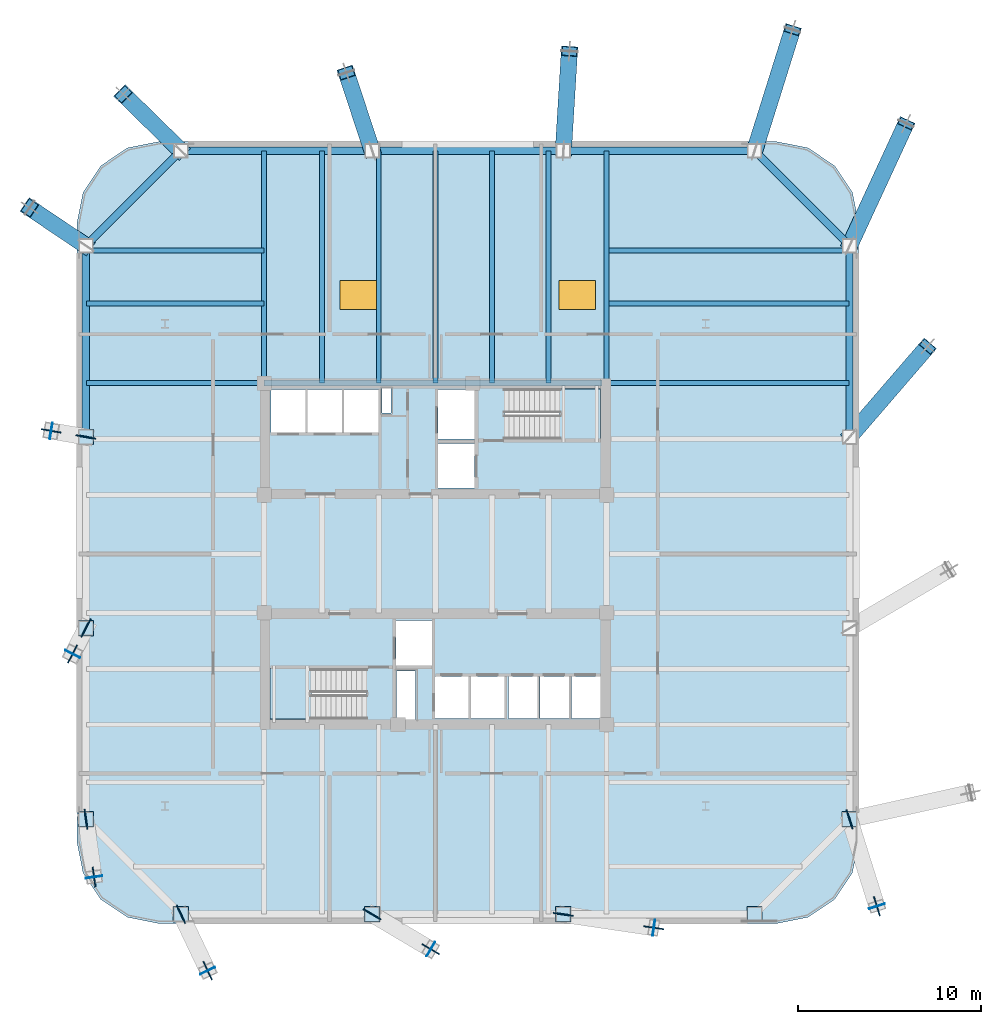
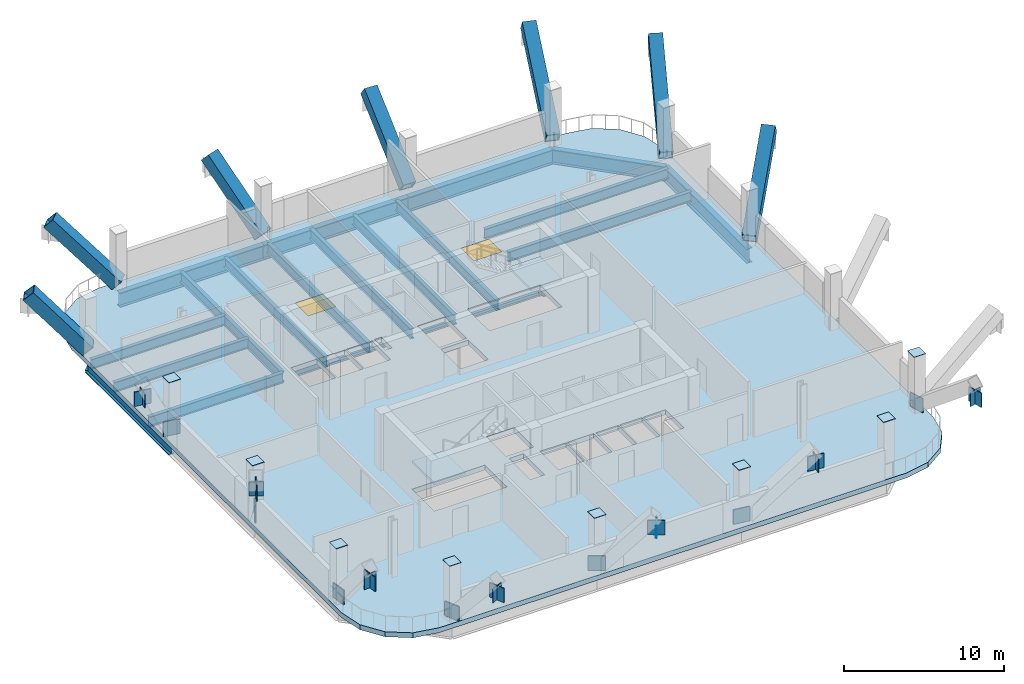
# One storey, part 2 of 8: 29 plates, 21 beams, 7 members, 3 slabs, 2 windows, 2 openings, 2 elements without a shape of their own.
"""IFC4 building model written with IfcOpenShell, lengths in metres."""

from ifc_helpers import new_model, si_unit, direction, frame, origin, origin_2d, place, context, subcontext, project, spatial, polyline, rectangle, hollow_rectangle, i_section, outline, extrude, material, layer, layer_set, material_profile, profile_set, type_object, element, fill, aggregate, save


model = new_model("IFC4")

# Units and contexts
model_context = context("Model", 3, precision=1e-05, world=origin(), true_north=direction((0.0, 1.0)))
body_context = subcontext(model_context, "Body", "Model", "MODEL_VIEW")
ifc_project = project(units=[si_unit("LENGTHUNIT", "METRE"), si_unit("AREAUNIT", "SQUARE_METRE"), si_unit("VOLUMEUNIT", "CUBIC_METRE"), si_unit("PLANEANGLEUNIT", "RADIAN"), si_unit("MASSUNIT", "GRAM", prefix="KILO")], contexts=[model_context])

# Site, building, storey
site_placement = place(None, origin())
site = spatial("IfcSite", under=ifc_project, at=site_placement, CompositionType="ELEMENT")
building_placement = place(site_placement, origin())
building = spatial("IfcBuilding", under=site, at=building_placement, Name="Qhalaya Broadcast Tower", CompositionType="ELEMENT")
storey_placement = place(building_placement, frame((0.0, 0.0, 65.10009765625)))
storey = spatial("IfcBuildingStorey", under=building, at=storey_placement, Name="L18", CompositionType="ELEMENT", Elevation=65.10009765625)

# Beam
ifc_material_1 = material(Name="Structural Steel ASTM A992 Grade 50", Category="steel")
ifc_material_profile_1 = material_profile(ifc_material_1, i_section(OverallWidth=0.323974609375, OverallDepth=0.612060546875, WebThickness=0.0126953125, FlangeThickness=0.01904296875, at=origin_2d()), Name="W24X104")
ifc_profile_set_1 = profile_set([ifc_material_profile_1], Name="Structural Steel ASTM A992 Grade 50")
beam_type_1 = type_object("IfcBeamType", Name="Core Frame Tie Beam B04", PredefinedType="BEAM", material=ifc_profile_set_1)
beam_1_placement = place(storey_placement, frame((-9.375, 9.949951171875, -0.68603515625), z_axis=(1.0, 0.0, 0.0), x_axis=(0.0, 1.0, 0.0)))
element("IfcBeam", 1, at=beam_1_placement, inside=storey, type_object=beam_type_1, Name="L18 B04 L18-CCN3", PredefinedType="BEAM", context=body_context, shape_type="SweptSolid", body=[
    extrude(i_section(OverallWidth=0.323974609375, OverallDepth=0.612060546875, WebThickness=0.0126953125, FlangeThickness=0.01904296875, at=origin_2d()), origin(), (0.0, 0.0, 1.0), 18.4951171875),
])

# Members
ifc_material_2 = material(Name="Structural Steel ASTM A572 Grade 50", Category="steel")
ifc_material_profile_2 = material_profile(ifc_material_2, hollow_rectangle(XDim=0.89990234375, YDim=0.89990234375, WallThickness=0.054931640625, at=origin_2d()), Name="BOX 900x900x55")
ifc_profile_set_2 = profile_set([ifc_material_profile_2], Name="Structural Steel ASTM A572 Grade 50")
member_type = type_object("IfcMemberType", Name="Heavy Exoskeleton Transfer Strut RK1", PredefinedType="BRACE", material=ifc_profile_set_2)
member_1_placement = place(storey_placement, frame((22.669921875, 7.00341796875, 0.39501953125), z_axis=(0.558902288641, 0.64793690873, 0.517499752712), x_axis=(-0.757215743528, 0.653164847304, 0.0)))
element("IfcMember", 2, at=member_1_placement, inside=storey, type_object=member_type, Name="L18 Inclined Exoskeleton Transfer Strut 07", PredefinedType="BRACE", context=body_context, shape_type="SweptSolid", body=[
    extrude(hollow_rectangle(XDim=0.89990234375, YDim=0.89990234375, WallThickness=0.054931640625, at=origin_2d()), origin(), (0.0, 0.0, 1.0), 7.64208984375),
])
member_2_placement = place(storey_placement, frame((22.669921875, 17.469970703125, 0.40673828125), z_axis=(0.370091184465, 0.800487470838, 0.471436447692), x_axis=(-0.907685040234, 0.419652079388, 0.0)))
element("IfcMember", 3, at=member_2_placement, inside=storey, type_object=member_type, Name="L18 Inclined Exoskeleton Transfer Strut 08", PredefinedType="BRACE", context=body_context, shape_type="SweptSolid", body=[
    extrude(hollow_rectangle(XDim=0.89990234375, YDim=0.89990234375, WallThickness=0.054931640625, at=origin_2d()), origin(), (0.0, 0.0, 1.0), 8.364013671875),
])
member_3_placement = place(storey_placement, frame((17.469970703125, 22.669921875, 0.401123046875), z_axis=(0.259921396799, 0.829388049592, 0.494526370055), x_axis=(-0.954238050963, 0.299048059841, 0.0)))
element("IfcMember", 4, at=member_3_placement, inside=storey, type_object=member_type, Name="L18 Inclined Exoskeleton Transfer Strut 09", PredefinedType="BRACE", context=body_context, shape_type="SweptSolid", body=[
    extrude(hollow_rectangle(XDim=0.89990234375, YDim=0.89990234375, WallThickness=0.054931640625, at=origin_2d()), origin(), (0.0, 0.0, 1.0), 7.98486328125),
])
member_4_placement = place(storey_placement, frame((7.00341796875, 22.669921875, 0.37353515625), z_axis=(0.049138154088, 0.806711814465, 0.588898539832), x_axis=(-0.998150031233, 0.060798973262, 0.0)))
element("IfcMember", 5, at=member_4_placement, inside=storey, type_object=member_type, Name="L18 Inclined Exoskeleton Transfer Strut 10", PredefinedType="BRACE", context=body_context, shape_type="SweptSolid", body=[
    extrude(hollow_rectangle(XDim=0.89990234375, YDim=0.89990234375, WallThickness=0.054931640625, at=origin_2d()), origin(), (0.0, 0.0, 1.0), 6.752197265625),
])
member_5_placement = place(storey_placement, frame((-3.46337890625, 22.669921875, 0.345947265625), z_axis=(-0.234401147592, 0.709243873594, 0.66485278805), x_axis=(-0.94948884921, -0.313800773143, 0.0)))
element("IfcMember", 6, at=member_5_placement, inside=storey, type_object=member_type, Name="L18 Inclined Exoskeleton Transfer Strut 11", PredefinedType="BRACE", context=body_context, shape_type="SweptSolid", body=[
    extrude(hollow_rectangle(XDim=0.89990234375, YDim=0.89990234375, WallThickness=0.054931640625, at=origin_2d()), origin(), (0.0, 0.0, 1.0), 6.022216796875),
])
member_6_placement = place(storey_placement, frame((-13.929931640625, 22.669921875, 0.34326171875), z_axis=(-0.528896386296, 0.518870108468, 0.67159692011), x_axis=(-0.700308278585, -0.713840538878, 0.0)))
element("IfcMember", 7, at=member_6_placement, inside=storey, type_object=member_type, Name="L18 Inclined Exoskeleton Transfer Strut 12", PredefinedType="BRACE", context=body_context, shape_type="SweptSolid", body=[
    extrude(hollow_rectangle(XDim=0.89990234375, YDim=0.89990234375, WallThickness=0.054931640625, at=origin_2d()), origin(), (0.0, 0.0, 1.0), 5.9658203125),
])
member_7_placement = place(storey_placement, frame((-19.1298828125, 17.469970703125, 0.314697265625), z_axis=(-0.561959275067, 0.378333396479, 0.735571624163), x_axis=(-0.558469397529, -0.829525124408, 0.0)))
element("IfcMember", 8, at=member_7_placement, inside=storey, type_object=member_type, Name="L18 Inclined Exoskeleton Transfer Strut 13", PredefinedType="BRACE", context=body_context, shape_type="SweptSolid", body=[
    extrude(hollow_rectangle(XDim=0.89990234375, YDim=0.89990234375, WallThickness=0.054931640625, at=origin_2d()), origin(), (0.0, 0.0, 1.0), 5.48583984375),
])

# Beams
ifc_material_profile_3 = material_profile(ifc_material_1, i_section(OverallWidth=0.26708984375, OverallDepth=0.780029296875, WebThickness=0.0166015625, FlangeThickness=0.030029296875, at=origin_2d()), Name="W30X148")
ifc_profile_set_3 = profile_set([ifc_material_profile_3], Name="Structural Steel ASTM A992 Grade 50")
beam_type_2 = type_object("IfcBeamType", Name="Neck & Crown Primary Girder PG5", PredefinedType="USERDEFINED", material=ifc_profile_set_3)
for number, where, z_axis, x_axis, name in (
    (9, (-9.375, 9.949951171875, -0.77001953125), (0.0, 1.0, 0.0), (-1.0, 0.0, 0.0), "L18 PG5 L18-PGXN1-1"),
    (10, (9.375, 9.949951171875, -0.77001953125), (0.0, 1.0, 0.0), (-1.0, 0.0, 0.0), "L18 PG5 L18-PGXN2-1"),
):
    element("IfcBeam", number, at=place(storey_placement, frame(where, z_axis=z_axis, x_axis=x_axis)), inside=storey, type_object=beam_type_2, Name=name, ObjectType="GIRDER", PredefinedType="USERDEFINED", context=body_context, shape_type="SweptSolid", body=[
        extrude(i_section(OverallWidth=0.26708984375, OverallDepth=0.780029296875, WebThickness=0.0166015625, FlangeThickness=0.030029296875, at=origin_2d()), origin(), (0.0, 0.0, 1.0), 12.699951171875),
    ])
beam_2_placement = place(storey_placement, frame((-19.110107421875, 9.949951171875, -0.77001953125), z_axis=(1.0, 0.0, 0.0), x_axis=(0.0, 1.0, 0.0)))
element("IfcBeam", 11, at=beam_2_placement, inside=storey, type_object=beam_type_2, Name="L18 PG5 L18-PGYW4-1", ObjectType="GIRDER", PredefinedType="USERDEFINED", context=body_context, shape_type="SweptSolid", body=[
    extrude(i_section(OverallWidth=0.26708984375, OverallDepth=0.780029296875, WebThickness=0.0166015625, FlangeThickness=0.030029296875, at=origin_2d()), origin(), (0.0, 0.0, 1.0), 9.735107421875),
])
beam_3_placement = place(storey_placement, frame((9.375, 9.949951171875, -0.77001953125), z_axis=(1.0, 0.0, 0.0), x_axis=(0.0, 1.0, 0.0)))
element("IfcBeam", 12, at=beam_3_placement, inside=storey, type_object=beam_type_2, Name="L18 PG5 L18-PGYE4-1", ObjectType="GIRDER", PredefinedType="USERDEFINED", context=body_context, shape_type="SweptSolid", body=[
    extrude(i_section(OverallWidth=0.26708984375, OverallDepth=0.780029296875, WebThickness=0.0166015625, FlangeThickness=0.030029296875, at=origin_2d()), origin(), (0.0, 0.0, 1.0), 13.27490234375),
])
ifc_material_profile_4 = material_profile(ifc_material_1, i_section(OverallWidth=0.26708984375, OverallDepth=0.761962890625, WebThickness=0.014404296875, FlangeThickness=0.021484375, at=origin_2d()), Name="W30X116")
ifc_profile_set_4 = profile_set([ifc_material_profile_4], Name="Structural Steel ASTM A992 Grade 50")
beam_type_3 = type_object("IfcBeamType", Name="Plant & Server Floor Beam B02", PredefinedType="BEAM", material=ifc_profile_set_4)
for number, where, z_axis, x_axis, name in (
    (13, (-6.199951171875, 9.949951171875, -0.760986328125), (0.0, 1.0, 0.0), (-1.0, 0.0, 0.0), "L18 B02 L18-JNN1-1"),
    (14, (-3.10009765625, 9.949951171875, -0.760986328125), (0.0, 1.0, 0.0), (-1.0, 0.0, 0.0), "L18 B02 L18-JNN2-1"),
    (15, (0.0, 9.949951171875, -0.760986328125), (0.0, 1.0, 0.0), (-1.0, 0.0, 0.0), "L18 B02 L18-JNN3-1"),
    (16, (3.10009765625, 9.949951171875, -0.760986328125), (0.0, 1.0, 0.0), (-1.0, 0.0, 0.0), "L18 B02 L18-JNN4-1"),
    (17, (6.199951171875, 9.949951171875, -0.760986328125), (0.0, 1.0, 0.0), (-1.0, 0.0, 0.0), "L18 B02 L18-JNN5-1"),
):
    element("IfcBeam", number, at=place(storey_placement, frame(where, z_axis=z_axis, x_axis=x_axis)), inside=storey, type_object=beam_type_3, Name=name, PredefinedType="BEAM", context=body_context, shape_type="SweptSolid", body=[
        extrude(i_section(OverallWidth=0.26708984375, OverallDepth=0.761962890625, WebThickness=0.014404296875, FlangeThickness=0.021484375, at=origin_2d()), origin(), (0.0, 0.0, 1.0), 12.699951171875),
    ])
beam_4_placement = place(storey_placement, frame((-19.110107421875, 14.300048828125, -0.760986328125), z_axis=(1.0, 0.0, 0.0), x_axis=(0.0, 1.0, 0.0)))
element("IfcBeam", 18, at=beam_4_placement, inside=storey, type_object=beam_type_3, Name="L18 B02 L18-JWE6W-1", PredefinedType="BEAM", context=body_context, shape_type="SweptSolid", body=[
    extrude(i_section(OverallWidth=0.26708984375, OverallDepth=0.761962890625, WebThickness=0.014404296875, FlangeThickness=0.021484375, at=origin_2d()), origin(), (0.0, 0.0, 1.0), 9.735107421875),
])
beam_5_placement = place(storey_placement, frame((9.375, 14.300048828125, -0.760986328125), z_axis=(1.0, 0.0, 0.0), x_axis=(0.0, 1.0, 0.0)))
element("IfcBeam", 19, at=beam_5_placement, inside=storey, type_object=beam_type_3, Name="L18 B02 L18-JWE6E-1", PredefinedType="BEAM", context=body_context, shape_type="SweptSolid", body=[
    extrude(i_section(OverallWidth=0.26708984375, OverallDepth=0.761962890625, WebThickness=0.014404296875, FlangeThickness=0.021484375, at=origin_2d()), origin(), (0.0, 0.0, 1.0), 13.27490234375),
])
beam_6_placement = place(storey_placement, frame((-19.110107421875, 17.199951171875, -0.760986328125), z_axis=(1.0, 0.0, 0.0), x_axis=(0.0, 1.0, 0.0)))
element("IfcBeam", 20, at=beam_6_placement, inside=storey, type_object=beam_type_3, Name="L18 B02 L18-JWE7W-1", PredefinedType="BEAM", context=body_context, shape_type="SweptSolid", body=[
    extrude(i_section(OverallWidth=0.26708984375, OverallDepth=0.761962890625, WebThickness=0.014404296875, FlangeThickness=0.021484375, at=origin_2d()), origin(), (0.0, 0.0, 1.0), 9.735107421875),
])
beam_7_placement = place(storey_placement, frame((9.375, 17.199951171875, -0.760986328125), z_axis=(1.0, 0.0, 0.0), x_axis=(0.0, 1.0, 0.0)))
element("IfcBeam", 21, at=beam_7_placement, inside=storey, type_object=beam_type_3, Name="L18 B02 L18-JWE7E-1", PredefinedType="BEAM", context=body_context, shape_type="SweptSolid", body=[
    extrude(i_section(OverallWidth=0.26708984375, OverallDepth=0.761962890625, WebThickness=0.014404296875, FlangeThickness=0.021484375, at=origin_2d()), origin(), (0.0, 0.0, 1.0), 13.27490234375),
])
ifc_material_profile_5 = material_profile(ifc_material_1, i_section(OverallWidth=0.404052734375, OverallDepth=1.117919921875, WebThickness=0.026123046875, FlangeThickness=0.044921875, at=origin_2d()), Name="W44X335")
ifc_profile_set_5 = profile_set([ifc_material_profile_5], Name="Structural Steel ASTM A992 Grade 50")
beam_type_4 = type_object("IfcBeamType", Name="Podium Long-Span Primary Girder PG1", PredefinedType="USERDEFINED", material=ifc_profile_set_5)
beam_8_placement = place(storey_placement, frame((22.669921875, 7.00341796875, -0.939208984375), z_axis=(0.0, 1.0, 0.0), x_axis=(-1.0, 0.0, 0.0)))
element("IfcBeam", 22, at=beam_8_placement, inside=storey, type_object=beam_type_4, Name="L18 PG1 L18-SPR-07", ObjectType="GIRDER", PredefinedType="USERDEFINED", context=body_context, shape_type="SweptSolid", body=[
    extrude(i_section(OverallWidth=0.404052734375, OverallDepth=1.117919921875, WebThickness=0.026123046875, FlangeThickness=0.044921875, at=origin_2d()), origin(), (0.0, 0.0, 1.0), 10.466552734375),
])
beam_9_placement = place(storey_placement, frame((22.669921875, 17.469970703125, -0.939208984375), z_axis=(-0.707106781187, 0.707106781187, 0.0), x_axis=(-0.707106781187, -0.707106781187, 0.0)))
element("IfcBeam", 23, at=beam_9_placement, inside=storey, type_object=beam_type_4, Name="L18 PG1 L18-SPR-08", ObjectType="GIRDER", PredefinedType="USERDEFINED", context=body_context, shape_type="SweptSolid", body=[
    extrude(i_section(OverallWidth=0.404052734375, OverallDepth=1.117919921875, WebThickness=0.026123046875, FlangeThickness=0.044921875, at=origin_2d()), origin(), (0.0, 0.0, 1.0), 7.353759765625),
])
beam_10_placement = place(storey_placement, frame((17.469970703125, 22.669921875, -0.939208984375), z_axis=(-1.0, 0.0, 0.0), x_axis=(0.0, -1.0, 0.0)))
element("IfcBeam", 24, at=beam_10_placement, inside=storey, type_object=beam_type_4, Name="L18 PG1 L18-SPR-09", ObjectType="GIRDER", PredefinedType="USERDEFINED", context=body_context, shape_type="SweptSolid", body=[
    extrude(i_section(OverallWidth=0.404052734375, OverallDepth=1.117919921875, WebThickness=0.026123046875, FlangeThickness=0.044921875, at=origin_2d()), origin(), (0.0, 0.0, 1.0), 10.466552734375),
])
beam_11_placement = place(storey_placement, frame((7.00341796875, 22.669921875, -0.939208984375), z_axis=(-1.0, 0.0, 0.0), x_axis=(0.0, -1.0, 0.0)))
element("IfcBeam", 25, at=beam_11_placement, inside=storey, type_object=beam_type_4, Name="L18 PG1 L18-SPR-10", ObjectType="GIRDER", PredefinedType="USERDEFINED", context=body_context, shape_type="SweptSolid", body=[
    extrude(i_section(OverallWidth=0.404052734375, OverallDepth=1.117919921875, WebThickness=0.026123046875, FlangeThickness=0.044921875, at=origin_2d()), origin(), (0.0, 0.0, 1.0), 10.466796875),
])
beam_12_placement = place(storey_placement, frame((-3.46337890625, 22.669921875, -0.939208984375), z_axis=(-1.0, 0.0, 0.0), x_axis=(0.0, -1.0, 0.0)))
element("IfcBeam", 26, at=beam_12_placement, inside=storey, type_object=beam_type_4, Name="L18 PG1 L18-SPR-11", ObjectType="GIRDER", PredefinedType="USERDEFINED", context=body_context, shape_type="SweptSolid", body=[
    extrude(i_section(OverallWidth=0.404052734375, OverallDepth=1.117919921875, WebThickness=0.026123046875, FlangeThickness=0.044921875, at=origin_2d()), origin(), (0.0, 0.0, 1.0), 10.466552734375),
])
beam_13_placement = place(storey_placement, frame((-13.929931640625, 22.669921875, -0.939208984375), z_axis=(-0.707106781187, -0.707106781187, 0.0), x_axis=(0.707106781187, -0.707106781187, 0.0)))
element("IfcBeam", 27, at=beam_13_placement, inside=storey, type_object=beam_type_4, Name="L18 PG1 L18-SPR-12", ObjectType="GIRDER", PredefinedType="USERDEFINED", context=body_context, shape_type="SweptSolid", body=[
    extrude(i_section(OverallWidth=0.404052734375, OverallDepth=1.117919921875, WebThickness=0.026123046875, FlangeThickness=0.044921875, at=origin_2d()), origin(), (0.0, 0.0, 1.0), 7.353759765625),
])
beam_14_placement = place(storey_placement, frame((-19.1298828125, 17.469970703125, -0.939208984375), z_axis=(0.0, -1.0, 0.0), x_axis=(1.0, 0.0, 0.0)))
element("IfcBeam", 28, at=beam_14_placement, inside=storey, type_object=beam_type_4, Name="L18 PG1 L18-SPR-13", ObjectType="GIRDER", PredefinedType="USERDEFINED", context=body_context, shape_type="SweptSolid", body=[
    extrude(i_section(OverallWidth=0.404052734375, OverallDepth=1.117919921875, WebThickness=0.026123046875, FlangeThickness=0.044921875, at=origin_2d()), origin(), (0.0, 0.0, 1.0), 10.466552734375),
])

# Plates
ifc_layer_1 = layer(ifc_material_2, 0.054931640625, Name="Structural Steel ASTM A572 Grade 50")
ifc_layer_set_1 = layer_set([ifc_layer_1], Name="Structural Steel ASTM A572 Grade 50")
plate_type_1 = type_object("IfcPlateType", Name="Exoskeleton Diamond Node Gusset Plate NP-01", PredefinedType="USERDEFINED", material=ifc_layer_set_1)
for number, where, z_axis, x_axis, name in (
    (29, (-13.929931640625, -19.1298828125, -0.000244140625), (0.0, 0.0, 1.0), (0.429140082637, -0.903237947318, 0.0), "L18 Strut Foot Gusset Plate 01"),
    (30, (-12.46533203125, -22.212646484375, 2.769775390625), (0.0, 0.0, 1.0), (0.429140082637, -0.903237947318, 0.0), "L18 Strut Head Gusset Plate 01"),
    (31, (-3.46337890625, -19.1298828125, -0.000244140625), (0.0, 0.0, 1.0), (0.859611588452, -0.510948057046, 0.0), "L18 Strut Foot Gusset Plate 02"),
    (32, (-0.255126953125, -21.036865234375, 2.769775390625), (0.0, 0.0, 1.0), (0.859611588452, -0.510948057046, 0.0), "L18 Strut Head Gusset Plate 02"),
    (33, (7.00341796875, -19.1298828125, -0.000244140625), (0.0, 0.0, 1.0), (0.989272332963, -0.146083028562, 0.0), "L18 Strut Foot Gusset Plate 03"),
    (34, (11.955078125, -19.861083984375, 2.769775390625), (0.0, 0.0, 1.0), (0.989272332963, -0.146083028562, 0.0), "L18 Strut Head Gusset Plate 03"),
    (35, (22.669921875, -13.929931640625, -0.000244140625), (0.0, 0.0, 1.0), (0.299940009631, -0.953958065442, 0.0), "L18 Strut Foot Gusset Plate 04"),
    (36, (24.165283203125, -18.685546875, 2.769775390625), (0.0, 0.0, 1.0), (0.299940009631, -0.953958065442, 0.0), "L18 Strut Head Gusset Plate 04"),
    (37, (-19.1298828125, 7.00341796875, -0.000244140625), (0.0, 0.0, 1.0), (-0.985187243675, 0.171482054161, 0.0), "L18 Strut Foot Gusset Plate 14"),
    (38, (-21.036865234375, 7.335205078125, 2.769775390625), (0.0, 0.0, 1.0), (-0.985187243675, 0.171482054161, 0.0), "L18 Strut Head Gusset Plate 14"),
    (39, (-19.1298828125, -3.46337890625, -0.000244140625), (0.0, 0.0, 1.0), (-0.459920846649, -0.887959917348, 0.0), "L18 Strut Foot Gusset Plate 15"),
    (40, (-19.861083984375, -4.875, 2.769775390625), (0.0, 0.0, 1.0), (-0.459920846649, -0.887959917348, 0.0), "L18 Strut Head Gusset Plate 15"),
    (41, (-19.1298828125, -13.929931640625, -0.000244140625), (0.0, 0.0, 1.0), (0.139501478629, -0.990221862746, 0.0), "L18 Strut Foot Gusset Plate 16"),
    (42, (-18.685546875, -17.085205078125, 2.769775390625), (0.0, 0.0, 1.0), (0.139501478629, -0.990221862746, 0.0), "L18 Strut Head Gusset Plate 16"),
):
    element("IfcPlate", number, at=place(storey_placement, frame(where, z_axis=z_axis, x_axis=x_axis)), inside=storey, type_object=plate_type_1, Name=name, ObjectType="GUSSET_PLATE", PredefinedType="USERDEFINED", context=body_context, shape_type="SweptSolid", body=[
        extrude(rectangle(XDim=1.10009765625, YDim=0.06005859375, at=origin_2d()), origin(), (0.0, 0.0, 1.0), 1.10009765625),
    ])
ifc_layer_2 = layer(ifc_material_2, 0.4599609375, Name="Structural Steel ASTM A572 Grade 50")
ifc_layer_set_2 = layer_set([ifc_layer_2], Name="Structural Steel ASTM A572 Grade 50")
plate_type_2 = type_object("IfcPlateType", Name="Hollow Box Member End Cap Plate CP-01", PredefinedType="USERDEFINED", material=ifc_layer_set_2)
for number, where, z_axis, x_axis, name in (
    (43, (-13.929931640625, -19.1298828125, 4.35009765625), (0.0, 0.0, 1.0), (1.0, 0.0, 0.0), "L18 Hollow Box Column Top Cap Plate COL-NK01"),
    (44, (-3.46337890625, -19.1298828125, 4.35009765625), (0.0, 0.0, 1.0), (1.0, 0.0, 0.0), "L18 Hollow Box Column Top Cap Plate COL-NK02"),
    (45, (7.00341796875, -19.1298828125, 4.35009765625), (0.0, 0.0, 1.0), (1.0, 0.0, 0.0), "L18 Hollow Box Column Top Cap Plate COL-NK03"),
    (46, (17.469970703125, -19.1298828125, 4.35009765625), (0.0, 0.0, 1.0), (1.0, 0.0, 0.0), "L18 Hollow Box Column Top Cap Plate COL-NK04"),
    (47, (22.669921875, -13.929931640625, 4.35009765625), (0.0, 0.0, 1.0), (0.0, 1.0, 0.0), "L18 Hollow Box Column Top Cap Plate COL-NK05"),
    (48, (-19.1298828125, 7.00341796875, 4.35009765625), (0.0, 0.0, 1.0), (0.0, 1.0, 0.0), "L18 Hollow Box Column Top Cap Plate COL-NK14"),
    (49, (-19.1298828125, -3.46337890625, 4.35009765625), (0.0, 0.0, 1.0), (0.0, 1.0, 0.0), "L18 Hollow Box Column Top Cap Plate COL-NK15"),
    (50, (-19.1298828125, -13.929931640625, 4.35009765625), (0.0, 0.0, 1.0), (0.0, 1.0, 0.0), "L18 Hollow Box Column Top Cap Plate COL-NK16"),
):
    element("IfcPlate", number, at=place(storey_placement, frame(where, z_axis=z_axis, x_axis=x_axis)), inside=storey, type_object=plate_type_2, Name=name, ObjectType="COVER_PLATE", PredefinedType="USERDEFINED", context=body_context, shape_type="SweptSolid", body=[
        extrude(rectangle(XDim=0.840087890625, YDim=0.840087890625, at=origin_2d()), origin(), (0.0, 0.0, 1.0), 0.031982421875),
    ])

# Stair, slab
ifc_material_3 = material(Name="Concrete C40/50", Category="concrete")
stair_type = type_object("IfcStairType", Name="Protected Dogleg Core Stair 4200", PredefinedType="TWO_STRAIGHT_RUN_STAIR", material=ifc_material_3)
stair_1_placement = place(storey_placement, origin())
stair_1 = element("IfcStair", 51, at=stair_1_placement, inside=storey, type_object=stair_type, Name="L18 North Core Exit Stair ST-1", PredefinedType="TWO_STRAIGHT_RUN_STAIR")
ifc_layer_3 = layer(ifc_material_3, 0.199951171875, Name="Concrete C40/50")
ifc_layer_set_3 = layer_set([ifc_layer_3], Name="Concrete C40/50")
slab_type_1 = type_object("IfcSlabType", Name="Stair & Ramp Half-Landing Slab 200", PredefinedType="LANDING", material=ifc_layer_set_3)
slab_1_placement = place(storey_placement, frame((0.0, 0.0, 1.974853515625)))
slab_1 = element("IfcSlab", 52, at=slab_1_placement, type_object=slab_type_1, Name="ST-1 landing 1", PredefinedType="LANDING", context=body_context, shape_type="SweptSolid", body=[
    extrude(outline(polyline([(6.794921875, 6.8798828125), (9.050048828125, 6.8798828125), (9.050048828125, 9.639892578125), (6.794921875, 9.639892578125), (6.794921875, 6.8798828125)])), origin(), (0.0, 0.0, 1.0), 0.199951171875),
])
aggregate(stair_1, [slab_1])

stair_2_placement = place(storey_placement, origin())
stair_2 = element("IfcStair", 53, at=stair_2_placement, inside=storey, type_object=stair_type, Name="L18 South Core Exit Stair ST-2", PredefinedType="TWO_STRAIGHT_RUN_STAIR")
slab_2_placement = place(storey_placement, frame((0.0, 0.0, 1.974853515625)))
slab_2 = element("IfcSlab", 54, at=slab_2_placement, type_object=slab_type_1, Name="ST-2 landing 1", PredefinedType="LANDING", context=body_context, shape_type="SweptSolid", body=[
    extrude(outline(polyline([(-6.794921875, -5.679931640625), (-9.050048828125, -5.679931640625), (-9.050048828125, -8.43994140625), (-6.794921875, -8.43994140625), (-6.794921875, -5.679931640625)])), origin(), (0.0, 0.0, 1.0), 0.199951171875),
])
aggregate(stair_2, [slab_2])

# Slab, openings, windows
ifc_layer_4 = layer(ifc_material_3, 0.3798828125, Name="Concrete C40/50")
ifc_layer_set_4 = layer_set([ifc_layer_4], Name="Concrete C40/50")
slab_type_2 = type_object("IfcSlabType", Name="Transfer & Sky-Pool Structural Deck Slab 380", PredefinedType="FLOOR", material=ifc_layer_set_4)
slab_3_placement = place(storey_placement, frame((0.0, 0.0, -0.380126953125)))
slab_3 = element("IfcSlab", 55, at=slab_3_placement, inside=storey, type_object=slab_type_2, Name="L18 Main Structural Floor Slab", PredefinedType="FLOOR", context=body_context, shape_type="SweptSolid", body=[
    extrude(outline(polyline([(18.669921875, -19.6298828125), (20.39208984375, -19.28759765625), (21.85205078125, -18.31201171875), (22.827392578125, -16.85205078125), (23.169921875, -15.1298828125), (23.169921875, 18.669921875), (22.827392578125, 20.39208984375), (21.85205078125, 21.85205078125), (20.39208984375, 22.827392578125), (18.669921875, 23.169921875), (-15.1298828125, 23.169921875), (-16.85205078125, 22.827392578125), (-18.31201171875, 21.85205078125), (-19.28759765625, 20.39208984375), (-19.6298828125, 18.669921875), (-19.6298828125, -15.1298828125), (-19.28759765625, -16.85205078125), (-18.31201171875, -18.31201171875), (-16.85205078125, -19.28759765625), (-15.1298828125, -19.6298828125), (18.669921875, -19.6298828125)]), holes=[polyline([(3.784912109375, 9.639892578125), (9.050048828125, 9.639892578125), (9.050048828125, 6.8798828125), (3.784912109375, 6.8798828125), (3.784912109375, 9.639892578125)]), polyline([(-3.784912109375, -8.43994140625), (-9.050048828125, -8.43994140625), (-9.050048828125, -5.679931640625), (-3.784912109375, -5.679931640625), (-3.784912109375, -8.43994140625)]), polyline([(0.14990234375, 6.64990234375), (2.14990234375, 6.64990234375), (2.14990234375, 4.199951171875), (0.14990234375, 4.199951171875), (0.14990234375, 6.64990234375)]), polyline([(0.14990234375, 9.60009765625), (2.14990234375, 9.60009765625), (2.14990234375, 6.89990234375), (0.14990234375, 6.89990234375), (0.14990234375, 9.60009765625)]), polyline([(-2.14990234375, -3.050048828125), (-0.14990234375, -3.050048828125), (-0.14990234375, -5.5), (-2.14990234375, -5.5), (-2.14990234375, -3.050048828125)]), polyline([(-9.0, 9.60009765625), (-7.1201171875, 9.60009765625), (-7.1201171875, 7.25), (-9.0, 7.25), (-9.0, 9.60009765625)]), polyline([(-7.0, 9.60009765625), (-5.1201171875, 9.60009765625), (-5.1201171875, 7.25), (-7.0, 7.25), (-7.0, 9.60009765625)]), polyline([(-5.0, 9.60009765625), (-3.1201171875, 9.60009765625), (-3.1201171875, 7.25), (-5.0, 7.25), (-5.0, 9.60009765625)]), polyline([(-0.050048828125, -6.10009765625), (1.830078125, -6.10009765625), (1.830078125, -8.39990234375), (-0.050048828125, -8.39990234375), (-0.050048828125, -6.10009765625)]), polyline([(1.949951171875, -6.10009765625), (3.830078125, -6.10009765625), (3.830078125, -8.39990234375), (1.949951171875, -8.39990234375), (1.949951171875, -6.10009765625)]), polyline([(4.0, -6.10009765625), (5.60009765625, -6.10009765625), (5.60009765625, -8.39990234375), (4.0, -8.39990234375), (4.0, -6.10009765625)]), polyline([(5.719970703125, -6.10009765625), (7.320068359375, -6.10009765625), (7.320068359375, -8.39990234375), (5.719970703125, -8.39990234375), (5.719970703125, -6.10009765625)]), polyline([(7.43994140625, -6.10009765625), (9.0400390625, -6.10009765625), (9.0400390625, -8.39990234375), (7.43994140625, -8.39990234375), (7.43994140625, -6.10009765625)]), polyline([(-2.919921875, 9.659912109375), (-2.419921875, 9.659912109375), (-2.419921875, 8.320068359375), (-2.919921875, 8.320068359375), (-2.919921875, 9.659912109375)]), polyline([(-2.1201171875, -5.820068359375), (-1.080078125, -5.820068359375), (-1.080078125, -8.4599609375), (-2.1201171875, -8.4599609375), (-2.1201171875, -5.820068359375)])]), origin(), (0.0, 0.0, 1.0), 0.380126953125),
])
opening_1_placement = place(slab_3_placement, frame((-4.22998046875, 14.77001953125, 0.0), z_axis=(0.0, 0.0, 1.0), x_axis=(1.0, 0.0, 0.0)))
opening_1 = element("IfcOpeningElement", 56, at=opening_1_placement, cuts=slab_3, Name="Opening SK4", PredefinedType="OPENING", context=body_context, shape_type="SweptSolid", body=[
    extrude(rectangle(XDim=2.0, YDim=1.60009765625, at=origin_2d()), origin(), (0.0, 0.0, 1.0), 0.380126953125),
])
opening_2_placement = place(slab_3_placement, frame((7.77001953125, 14.77001953125, 0.0), z_axis=(0.0, 0.0, 1.0), x_axis=(1.0, 0.0, 0.0)))
opening_2 = element("IfcOpeningElement", 57, at=opening_2_placement, cuts=slab_3, Name="Opening SK4", PredefinedType="OPENING", context=body_context, shape_type="SweptSolid", body=[
    extrude(rectangle(XDim=2.0, YDim=1.60009765625, at=origin_2d()), origin(), (0.0, 0.0, 1.0), 0.380126953125),
])
ifc_material_4 = material(Name="Solar-Control Low-E Triple Glazing", Category="glass")
window_type = type_object("IfcWindowType", Name="Sky-Garden Pavilion Skylight SK4", PartitioningType="SINGLE_PANEL", PredefinedType="SKYLIGHT", material=ifc_material_4)
window_1_placement = place(opening_1_placement, frame((0.0, 0.0, 0.330078125)))
window_1 = element("IfcWindow", 58, at=window_1_placement, inside=storey, type_object=window_type, Name="L18 Sky-Garden Skylight SK4-1", OverallHeight=1.60009765625, OverallWidth=2.0, PartitioningType="SINGLE_PANEL", PredefinedType="SKYLIGHT", context=body_context, shape_type="SweptSolid", body=[
    extrude(rectangle(XDim=2.0, YDim=1.60009765625, at=origin_2d()), origin(), (0.0, 0.0, 1.0), 0.050048828125),
])
fill(opening_1, window_1)
window_2_placement = place(opening_2_placement, frame((0.0, 0.0, 0.330078125)))
window_2 = element("IfcWindow", 59, at=window_2_placement, inside=storey, type_object=window_type, Name="L18 Sky-Garden Skylight SK4-2", OverallHeight=1.60009765625, OverallWidth=2.0, PartitioningType="SINGLE_PANEL", PredefinedType="SKYLIGHT", context=body_context, shape_type="SweptSolid", body=[
    extrude(rectangle(XDim=2.0, YDim=1.60009765625, at=origin_2d()), origin(), (0.0, 0.0, 1.0), 0.050048828125),
])
fill(opening_2, window_2)

# Plates
ifc_layer_5 = layer(ifc_material_2, 0.044921875, Name="Structural Steel ASTM A572 Grade 50")
ifc_layer_set_5 = layer_set([ifc_layer_5], Name="Structural Steel ASTM A572 Grade 50")
plate_type_3 = type_object("IfcPlateType", Name="Transfer Girder Web Stiffener Plate WS-01", PredefinedType="USERDEFINED", material=ifc_layer_set_5)
for number, where, z_axis, x_axis, name in (
    (60, (-12.46533203125, -22.212646484375, 2.794921875), (0.0, 0.0, 1.0), (0.903237947318, 0.429140082637, 0.0), "L18 Strut Head Cross Diaphragm Plate 01"),
    (61, (-0.255126953125, -21.036865234375, 2.794921875), (0.0, 0.0, 1.0), (0.510948057046, 0.859611588452, 0.0), "L18 Strut Head Cross Diaphragm Plate 02"),
    (62, (11.955078125, -19.861083984375, 2.794921875), (0.0, 0.0, 1.0), (0.146083028562, 0.989272332963, 0.0), "L18 Strut Head Cross Diaphragm Plate 03"),
    (63, (24.165283203125, -18.685546875, 2.794921875), (0.0, 0.0, 1.0), (0.953958065442, 0.299940009631, 0.0), "L18 Strut Head Cross Diaphragm Plate 04"),
    (64, (-21.036865234375, 7.335205078125, 2.794921875), (0.0, 0.0, 1.0), (-0.171482054161, -0.985187243675, 0.0), "L18 Strut Head Cross Diaphragm Plate 14"),
    (65, (-19.861083984375, -4.875, 2.794921875), (0.0, 0.0, 1.0), (0.887959917348, -0.459920846649, 0.0), "L18 Strut Head Cross Diaphragm Plate 15"),
    (66, (-18.685546875, -17.085205078125, 2.794921875), (0.0, 0.0, 1.0), (0.990221862746, 0.139501478629, 0.0), "L18 Strut Head Cross Diaphragm Plate 16"),
):
    element("IfcPlate", number, at=place(storey_placement, frame(where, z_axis=z_axis, x_axis=x_axis)), inside=storey, type_object=plate_type_3, Name=name, ObjectType="STIFFENER_PLATE", PredefinedType="USERDEFINED", context=body_context, shape_type="SweptSolid", body=[
        extrude(rectangle(XDim=0.89990234375, YDim=0.044921875, at=origin_2d()), origin(), (0.0, 0.0, 1.0), 1.050048828125),
    ])

save(model, "model.ifc")
